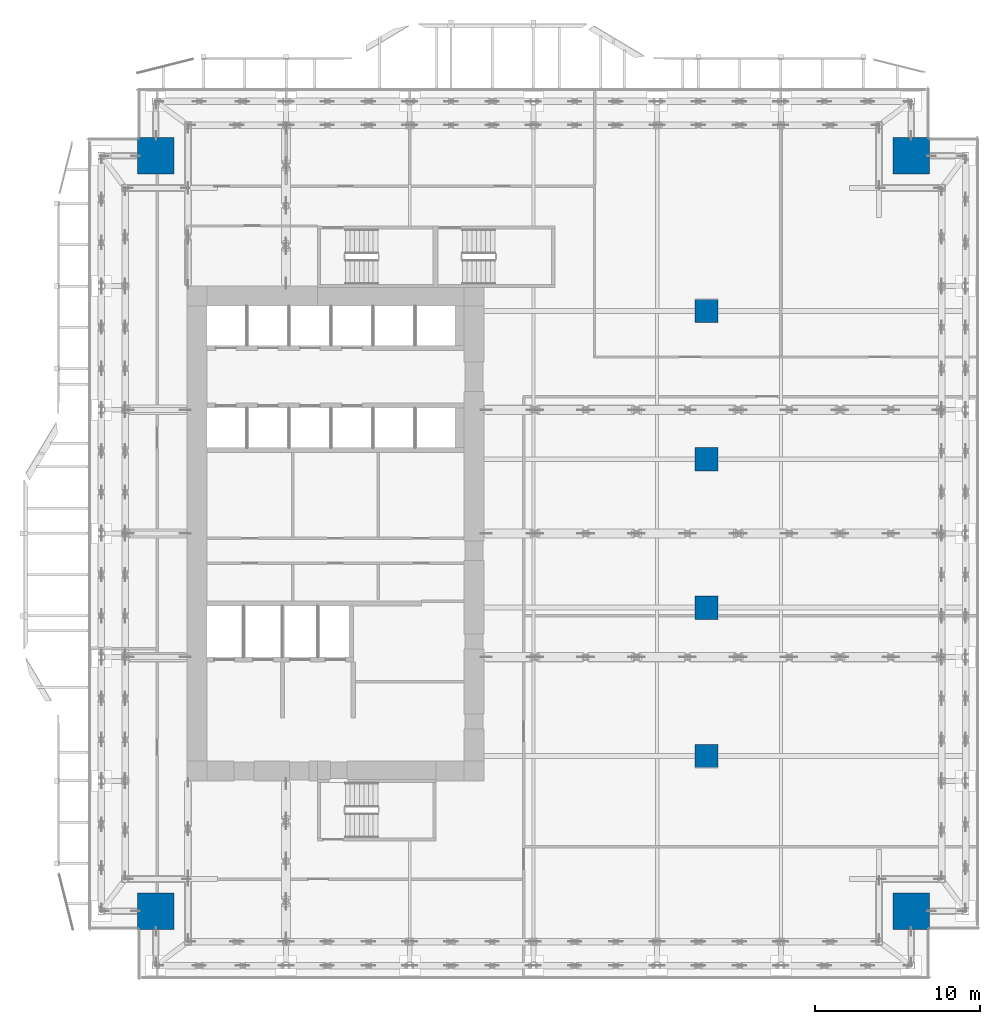
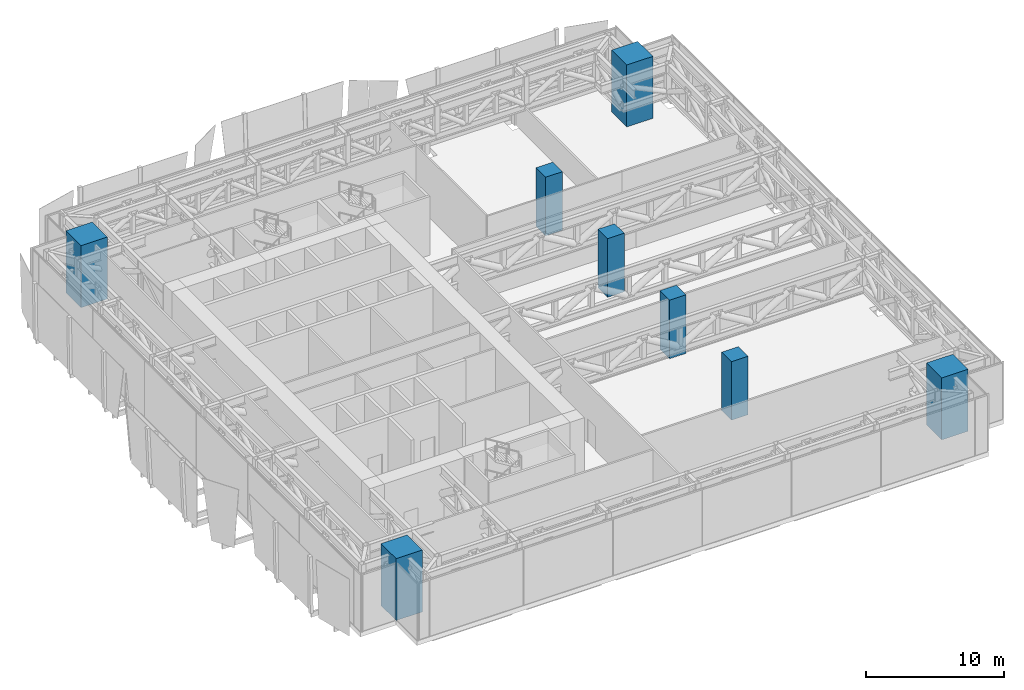
# One storey, part 1 of 39: 8 columns.
"""IFC4 building model written with IfcOpenShell, lengths in metres."""

from ifc_helpers import new_model, si_unit, direction, frame, origin, origin_2d, place, context, subcontext, project, spatial, rectangle, extrude, source, transform, mapped, material, material_profile, profile_set, type_object, element, save


model = new_model("IFC4")

# Units and contexts
model_context = context("Model", 3, precision=1e-05, world=origin(), true_north=direction((0.0, 1.0)))
body_context = subcontext(model_context, "Body", "Model", "MODEL_VIEW")
ifc_project = project(units=[si_unit("LENGTHUNIT", "METRE"), si_unit("AREAUNIT", "SQUARE_METRE"), si_unit("VOLUMEUNIT", "CUBIC_METRE"), si_unit("PLANEANGLEUNIT", "RADIAN"), si_unit("MASSUNIT", "GRAM", prefix="KILO")], contexts=[model_context])

# Site, building, storey
site_placement = place(None, origin())
site = spatial("IfcSite", under=ifc_project, at=site_placement, CompositionType="ELEMENT")
building_placement = place(site_placement, origin())
building = spatial("IfcBuilding", under=site, at=building_placement, Name="Khomas Fold Tower", CompositionType="ELEMENT")
storey_placement = place(building_placement, frame((0.0, 0.0, 96.0)))
storey = spatial("IfcBuildingStorey", under=building, at=storey_placement, Name="L20", CompositionType="ELEMENT", Elevation=96.0)

# Columns
ifc_material_1 = material(Name="Concrete C60/75", Category="concrete")
ifc_material_profile_1 = material_profile(ifc_material_1, rectangle(XDim=1.39990234375, YDim=1.39990234375, at=origin_2d()), Name="RC 1400x1400")
ifc_profile_set_1 = profile_set([ifc_material_profile_1], Name="Concrete C60/75")
column_type_1 = type_object("IfcColumnType", Name="RC 1400x1400 column", PredefinedType="COLUMN", material=ifc_profile_set_1)
shared_shape_1 = source(origin(), body_context, "Body", "SweptSolid", [
    extrude(rectangle(XDim=1.39990234375, YDim=1.39990234375, at=origin_2d()), origin(), (0.0, 0.0, 1.0), 5.199951171875),
])
for number, where, z_axis, x_axis, name in (
    (1, (37.5, 13.5, 0.0), (0.0, 0.0, 1.0), (1.0, 0.0, 0.0), "C-11-H"),
    (2, (37.5, 22.5, 0.0), (0.0, 0.0, 1.0), (1.0, 0.0, 0.0), "C-11-K"),
    (3, (37.5, 31.5, 0.0), (0.0, 0.0, 1.0), (1.0, 0.0, 0.0), "C-11-M"),
    (4, (37.5, 40.5, 0.0), (0.0, 0.0, 1.0), (1.0, 0.0, 0.0), "C-11-P"),
):
    element("IfcColumn", number, at=place(storey_placement, frame(where, z_axis=z_axis, x_axis=x_axis)), inside=storey, type_object=column_type_1, Name=name, PredefinedType="COLUMN", context=body_context, shape_type="MappedRepresentation", body=[
        mapped(shared_shape_1, transform((0.0, 0.0, 0.0))),
    ])
ifc_material_2 = material(Name="Concrete C70/85", Category="concrete")
ifc_material_profile_2 = material_profile(ifc_material_2, rectangle(XDim=2.199951171875, YDim=2.199951171875, at=origin_2d()), Name="RC 2200x2200")
ifc_profile_set_2 = profile_set([ifc_material_profile_2], Name="Concrete C70/85")
column_type_2 = type_object("IfcColumnType", Name="RC 2200x2200 column", PredefinedType="COLUMN", material=ifc_profile_set_2)
shared_shape_2 = source(origin(), body_context, "Body", "SweptSolid", [
    extrude(rectangle(XDim=2.199951171875, YDim=2.199951171875, at=origin_2d()), origin(), (0.0, 0.0, 1.0), 5.5),
])
for number, where, z_axis, x_axis, name in (
    (5, (49.89990234375, 49.89990234375, 0.0), (0.0, 0.0, 1.0), (1.0, 0.0, 0.0), "CM-NE"),
    (6, (4.10009765625, 49.89990234375, 0.0), (0.0, 0.0, 1.0), (1.0, 0.0, 0.0), "CM-NW"),
    (7, (49.89990234375, 4.10009765625, 0.0), (0.0, 0.0, 1.0), (1.0, 0.0, 0.0), "CM-SE"),
    (8, (4.10009765625, 4.10009765625, 0.0), (0.0, 0.0, 1.0), (1.0, 0.0, 0.0), "CM-SW"),
):
    element("IfcColumn", number, at=place(storey_placement, frame(where, z_axis=z_axis, x_axis=x_axis)), inside=storey, type_object=column_type_2, Name=name, PredefinedType="COLUMN", context=body_context, shape_type="MappedRepresentation", body=[
        mapped(shared_shape_2, transform((0.0, 0.0, 0.0))),
    ])

save(model, "model.ifc")
